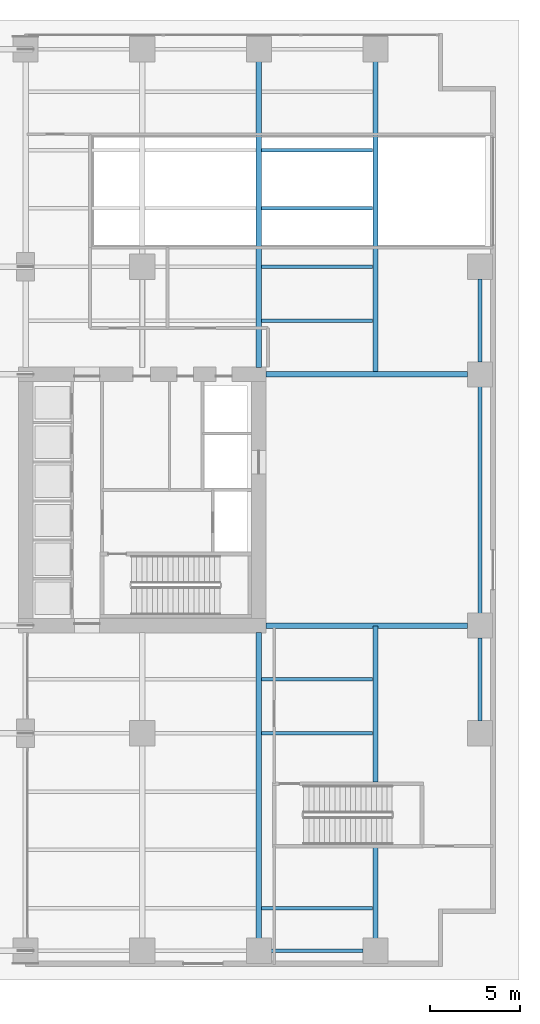
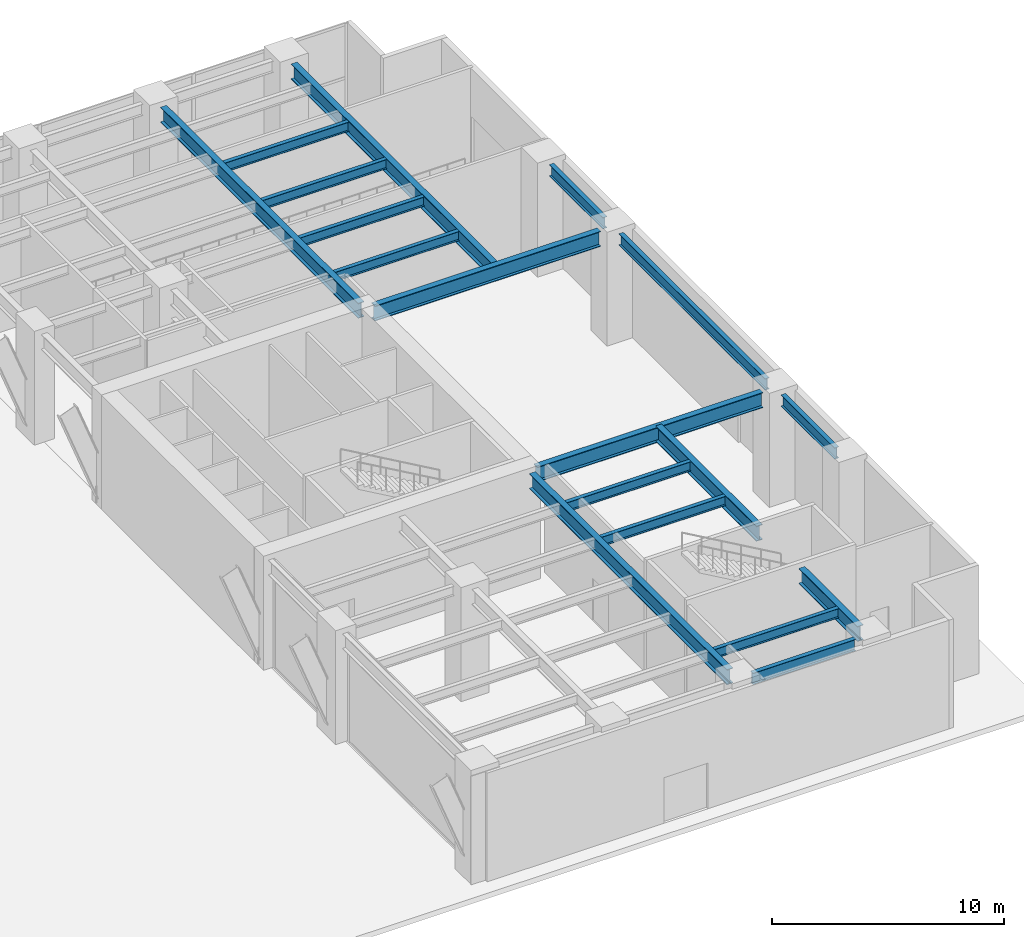
# One storey, part 7 of 20: 18 beams.
"""IFC4 building model written with IfcOpenShell, lengths in metres."""

from ifc_helpers import new_model, si_unit, direction, frame, origin, origin_2d, place, context, subcontext, project, spatial, i_section, extrude, material, material_profile, profile_set, type_object, element, save


model = new_model("IFC4")

# Units and contexts
model_context = context("Model", 3, precision=1e-05, world=origin(), true_north=direction((0.0, 1.0)))
body_context = subcontext(model_context, "Body", "Model", "MODEL_VIEW")
ifc_project = project(units=[si_unit("LENGTHUNIT", "METRE"), si_unit("AREAUNIT", "SQUARE_METRE"), si_unit("VOLUMEUNIT", "CUBIC_METRE"), si_unit("PLANEANGLEUNIT", "RADIAN"), si_unit("MASSUNIT", "GRAM", prefix="KILO")], contexts=[model_context])

# Site, building, storey
site_placement = place(None, origin())
site = spatial("IfcSite", under=ifc_project, at=site_placement, CompositionType="ELEMENT")
building_placement = place(site_placement, origin())
building = spatial("IfcBuilding", under=site, at=building_placement, Name="Putna Gate Headquarters", CompositionType="ELEMENT")
storey_placement = place(building_placement, origin())
storey = spatial("IfcBuildingStorey", under=building, at=storey_placement, Name="L00", CompositionType="ELEMENT", Elevation=0.0)

# Beams
ifc_material = material(Name="Steel S355J2", Category="steel")
ifc_material_profile_1 = material_profile(ifc_material, i_section(OverallWidth=0.300048828125, OverallDepth=0.800048828125, WebThickness=0.017578125, FlangeThickness=0.032958984375, at=origin_2d()), Name="Steel S355J2")
ifc_profile_set_1 = profile_set([ifc_material_profile_1], Name="Steel S355J2")
beam_type_1 = type_object("IfcBeamType", Name="BM-GIRD-P-HEB800", PredefinedType="USERDEFINED", material=ifc_profile_set_1)
for number, where, z_axis, x_axis, name in (
    (1, (65.385009765625, 19.0, 5.320068359375), (1.0, 0.0, 0.0), (0.0, 1.0, 0.0), "L00 East Wing Girder Y19"),
    (2, (65.385009765625, 33.0, 5.320068359375), (1.0, 0.0, 0.0), (0.0, 1.0, 0.0), "L00 East Wing Girder Y33"),
):
    element("IfcBeam", number, at=place(storey_placement, frame(where, z_axis=z_axis, x_axis=x_axis)), inside=storey, type_object=beam_type_1, Name=name, ObjectType="GIRDER", PredefinedType="USERDEFINED", context=body_context, shape_type="SweptSolid", body=[
        extrude(i_section(OverallWidth=0.300048828125, OverallDepth=0.800048828125, WebThickness=0.017578125, FlangeThickness=0.032958984375, at=origin_2d()), origin(), (0.0, 0.0, 1.0), 11.2470703125),
    ])
for number, where, z_axis, x_axis, name in (
    (3, (65.0, 1.568115234375, 5.320068359375), (0.0, 1.0, 0.0), (-1.0, 0.0, 0.0), "L00 South Primary Girder X65"),
    (4, (65.0, 33.385009765625, 5.320068359375), (0.0, 1.0, 0.0), (-1.0, 0.0, 0.0), "L00 North Primary Girder X65"),
):
    element("IfcBeam", number, at=place(storey_placement, frame(where, z_axis=z_axis, x_axis=x_axis)), inside=storey, type_object=beam_type_1, Name=name, ObjectType="GIRDER", PredefinedType="USERDEFINED", context=body_context, shape_type="SweptSolid", body=[
        extrude(i_section(OverallWidth=0.300048828125, OverallDepth=0.800048828125, WebThickness=0.017578125, FlangeThickness=0.032958984375, at=origin_2d()), origin(), (0.0, 0.0, 1.0), 17.046875),
    ])
beam_1_placement = place(storey_placement, frame((71.5, 1.568115234375, 5.320068359375), z_axis=(0.0, 1.0, 0.0), x_axis=(-1.0, 0.0, 0.0)))
element("IfcBeam", 5, at=beam_1_placement, inside=storey, type_object=beam_type_1, Name="L00 South Girder X71-A", ObjectType="GIRDER", PredefinedType="USERDEFINED", context=body_context, shape_type="SweptSolid", body=[
    extrude(i_section(OverallWidth=0.300048828125, OverallDepth=0.800048828125, WebThickness=0.017578125, FlangeThickness=0.032958984375, at=origin_2d()), origin(), (0.0, 0.0, 1.0), 5.056884765625),
])
beam_2_placement = place(storey_placement, frame((71.5, 10.27490234375, 5.320068359375), z_axis=(0.0, 1.0, 0.0), x_axis=(-1.0, 0.0, 0.0)))
element("IfcBeam", 6, at=beam_2_placement, inside=storey, type_object=beam_type_1, Name="L00 South Girder X71-B", ObjectType="GIRDER", PredefinedType="USERDEFINED", context=body_context, shape_type="SweptSolid", body=[
    extrude(i_section(OverallWidth=0.300048828125, OverallDepth=0.800048828125, WebThickness=0.017578125, FlangeThickness=0.032958984375, at=origin_2d()), origin(), (0.0, 0.0, 1.0), 8.713134765625),
])
beam_3_placement = place(storey_placement, frame((71.5, 33.011962890625, 5.320068359375), z_axis=(0.0, 1.0, 0.0), x_axis=(-1.0, 0.0, 0.0)))
element("IfcBeam", 7, at=beam_3_placement, inside=storey, type_object=beam_type_1, Name="L00 North Primary Girder X71", ObjectType="GIRDER", PredefinedType="USERDEFINED", context=body_context, shape_type="SweptSolid", body=[
    extrude(i_section(OverallWidth=0.300048828125, OverallDepth=0.800048828125, WebThickness=0.017578125, FlangeThickness=0.032958984375, at=origin_2d()), origin(), (0.0, 0.0, 1.0), 17.419921875),
])
ifc_material_profile_2 = material_profile(ifc_material, i_section(OverallWidth=0.199951171875, OverallDepth=0.5, WebThickness=0.01025390625, FlangeThickness=0.01611328125, at=origin_2d()), Name="Steel S355J2")
ifc_profile_set_2 = profile_set([ifc_material_profile_2], Name="Steel S355J2")
beam_type_2 = type_object("IfcBeamType", Name="BM-SEC-P-IPE500", PredefinedType="BEAM", material=ifc_profile_set_2)
for number, where, z_axis, x_axis, name in (
    (8, (65.154052734375, 3.25, 5.469970703125), (1.0, 0.0, 0.0), (0.0, 1.0, 0.0), "L00 South Secondary Beam 7"),
    (9, (65.154052734375, 13.0, 5.469970703125), (1.0, 0.0, 0.0), (0.0, 1.0, 0.0), "L00 South Secondary Beam 7"),
    (10, (65.154052734375, 16.0, 5.469970703125), (1.0, 0.0, 0.0), (0.0, 1.0, 0.0), "L00 South Secondary Beam 7"),
    (11, (65.154052734375, 36.0, 5.469970703125), (1.0, 0.0, 0.0), (0.0, 1.0, 0.0), "L00 North Secondary Beam 7"),
    (12, (65.154052734375, 39.0, 5.469970703125), (1.0, 0.0, 0.0), (0.0, 1.0, 0.0), "L00 North Secondary Beam 7"),
    (13, (65.154052734375, 42.25, 5.469970703125), (1.0, 0.0, 0.0), (0.0, 1.0, 0.0), "L00 North Secondary Beam 7"),
    (14, (65.154052734375, 45.5, 5.469970703125), (1.0, 0.0, 0.0), (0.0, 1.0, 0.0), "L00 North Secondary Beam 7"),
):
    element("IfcBeam", number, at=place(storey_placement, frame(where, z_axis=z_axis, x_axis=x_axis)), inside=storey, type_object=beam_type_2, Name=name, PredefinedType="BEAM", context=body_context, shape_type="SweptSolid", body=[
        extrude(i_section(OverallWidth=0.199951171875, OverallDepth=0.5, WebThickness=0.01025390625, FlangeThickness=0.01611328125, at=origin_2d()), origin(), (0.0, 0.0, 1.0), 6.19189453125),
    ])
ifc_material_profile_3 = material_profile(ifc_material, i_section(OverallWidth=0.219970703125, OverallDepth=0.60009765625, WebThickness=0.011962890625, FlangeThickness=0.01904296875, at=origin_2d()), Name="Steel S355J2")
ifc_profile_set_3 = profile_set([ifc_material_profile_3], Name="Steel S355J2")
beam_type_3 = type_object("IfcBeamType", Name="BM-SPAN-P-IPE600", PredefinedType="SPANDREL", material=ifc_profile_set_3)
beam_4_placement = place(storey_placement, frame((65.68798828125, 0.8798828125, 5.419921875), z_axis=(1.0, 0.0, 0.0), x_axis=(0.0, 1.0, 0.0)))
element("IfcBeam", 15, at=beam_4_placement, inside=storey, type_object=beam_type_3, Name="L00 S Perimeter Spandrel 7", PredefinedType="SPANDREL", context=body_context, shape_type="SweptSolid", body=[
    extrude(i_section(OverallWidth=0.219970703125, OverallDepth=0.60009765625, WebThickness=0.011962890625, FlangeThickness=0.01904296875, at=origin_2d()), origin(), (0.0, 0.0, 1.0), 5.1240234375),
])
beam_5_placement = place(storey_placement, frame((77.320068359375, 13.68798828125, 5.419921875), z_axis=(0.0, 1.0, 0.0), x_axis=(-1.0, 0.0, 0.0)))
element("IfcBeam", 16, at=beam_5_placement, inside=storey, type_object=beam_type_3, Name="L00 E End Spandrel 1", PredefinedType="SPANDREL", context=body_context, shape_type="SweptSolid", body=[
    extrude(i_section(OverallWidth=0.219970703125, OverallDepth=0.60009765625, WebThickness=0.011962890625, FlangeThickness=0.01904296875, at=origin_2d()), origin(), (0.0, 0.0, 1.0), 4.6240234375),
])
beam_6_placement = place(storey_placement, frame((77.320068359375, 19.68798828125, 5.419921875), z_axis=(0.0, 1.0, 0.0), x_axis=(-1.0, 0.0, 0.0)))
element("IfcBeam", 17, at=beam_6_placement, inside=storey, type_object=beam_type_3, Name="L00 E End Spandrel 2", PredefinedType="SPANDREL", context=body_context, shape_type="SweptSolid", body=[
    extrude(i_section(OverallWidth=0.219970703125, OverallDepth=0.60009765625, WebThickness=0.011962890625, FlangeThickness=0.01904296875, at=origin_2d()), origin(), (0.0, 0.0, 1.0), 12.6240234375),
])
beam_7_placement = place(storey_placement, frame((77.320068359375, 33.68798828125, 5.419921875), z_axis=(0.0, 1.0, 0.0), x_axis=(-1.0, 0.0, 0.0)))
element("IfcBeam", 18, at=beam_7_placement, inside=storey, type_object=beam_type_3, Name="L00 E End Spandrel 3", PredefinedType="SPANDREL", context=body_context, shape_type="SweptSolid", body=[
    extrude(i_section(OverallWidth=0.219970703125, OverallDepth=0.60009765625, WebThickness=0.011962890625, FlangeThickness=0.01904296875, at=origin_2d()), origin(), (0.0, 0.0, 1.0), 4.6240234375),
])

save(model, "model.ifc")
